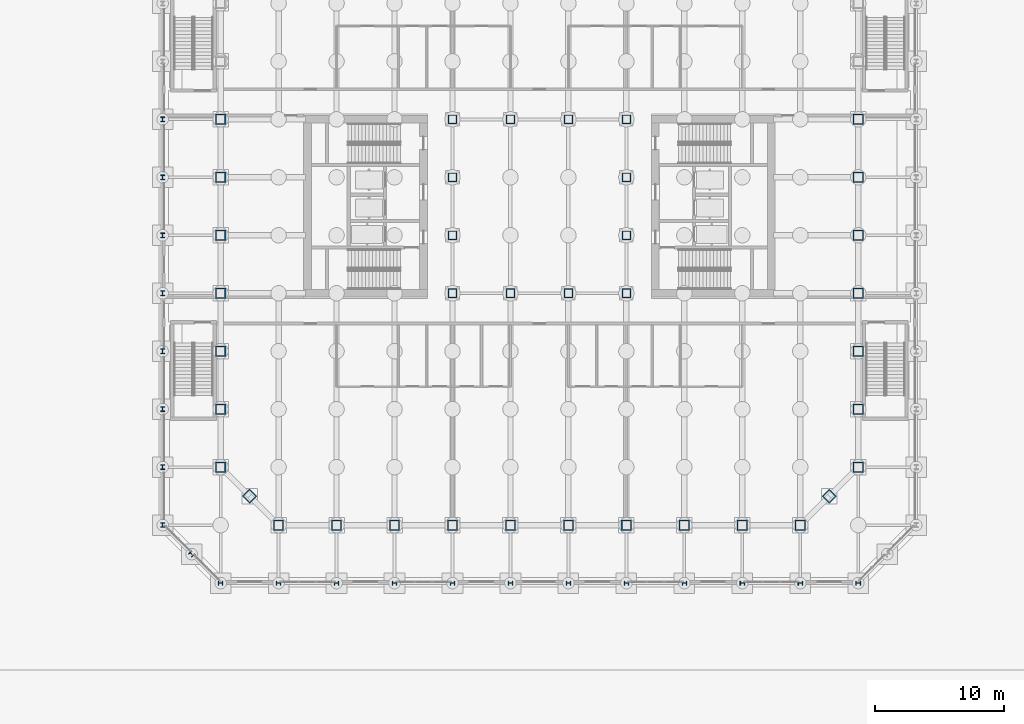
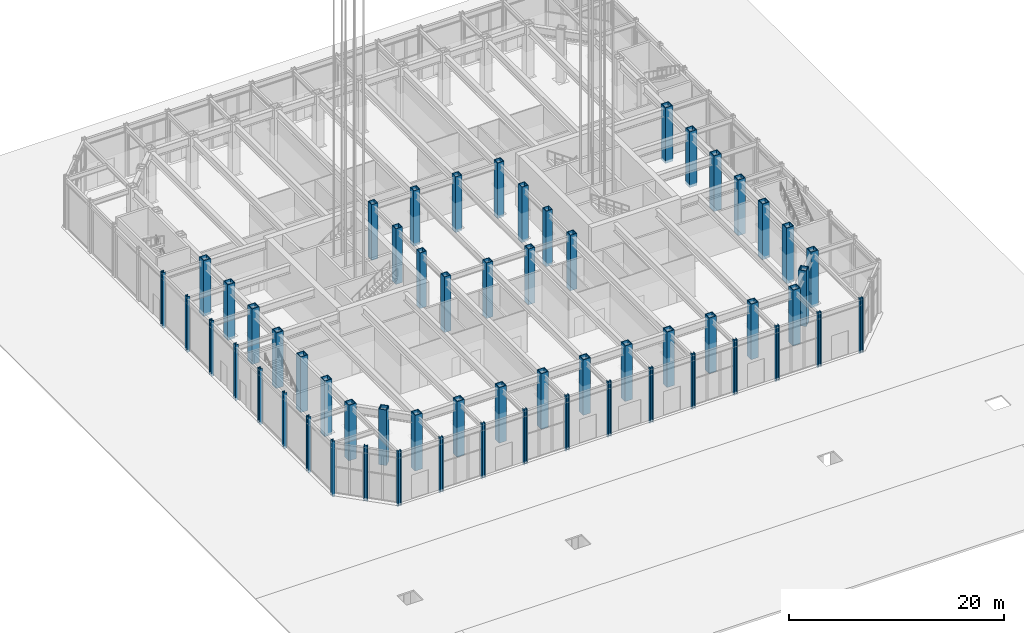
# One storey, part 2 of 39: 59 columns.
"""IFC4 building model written with IfcOpenShell, lengths in metres."""

from ifc_helpers import new_model, si_unit, direction, frame, origin, origin_2d, place, context, subcontext, project, spatial, hollow_rectangle, i_section, extrude, material, material_profile, profile_set, type_object, element, save


model = new_model("IFC4")

# Units and contexts
model_context = context("Model", 3, precision=1e-05, world=origin(), true_north=direction((0.0, 1.0)))
body_context = subcontext(model_context, "Body", "Model", "MODEL_VIEW")
ifc_project = project(units=[si_unit("LENGTHUNIT", "METRE"), si_unit("AREAUNIT", "SQUARE_METRE"), si_unit("VOLUMEUNIT", "CUBIC_METRE"), si_unit("PLANEANGLEUNIT", "RADIAN"), si_unit("MASSUNIT", "GRAM", prefix="KILO")], contexts=[model_context])

# Site, building, storey
site_placement = place(None, origin())
site = spatial("IfcSite", under=ifc_project, at=site_placement, CompositionType="ELEMENT")
building_placement = place(site_placement, origin())
building = spatial("IfcBuilding", under=site, at=building_placement, Name="Msasa Ring Tower", CompositionType="ELEMENT")
storey_placement = place(building_placement, origin())
storey = spatial("IfcBuildingStorey", under=building, at=storey_placement, Name="L00", CompositionType="ELEMENT", Elevation=0.0)

# Columns
ifc_material_1 = material(Name="Steel S355", Category="steel")
ifc_material_profile_1 = material_profile(ifc_material_1, hollow_rectangle(XDim=0.699951171875, YDim=0.699951171875, WallThickness=0.070068359375, at=origin_2d()), Name="BOX 700x700x70")
ifc_profile_set_1 = profile_set([ifc_material_profile_1], Name="Steel S355")
column_type_1 = type_object("IfcColumnType", Name="IC1 BOX 700x700x70", PredefinedType="COLUMN", material=ifc_profile_set_1)
for number, where, z_axis, x_axis, name in (
    (1, (-6.75, -6.75, -0.300048828125), (0.0, 0.0, 1.0), (1.0, 0.0, 0.0), "Inner ring column IR-6.75-6.75 L00"),
    (2, (-6.75, -2.25, -0.300048828125), (0.0, 0.0, 1.0), (1.0, 0.0, 0.0), "Inner ring column IR-6.75-2.25 L00"),
    (3, (-6.75, 2.25, -0.300048828125), (0.0, 0.0, 1.0), (1.0, 0.0, 0.0), "Inner ring column IR-6.75+2.25 L00"),
    (4, (-6.75, 6.75, -0.300048828125), (0.0, 0.0, 1.0), (1.0, 0.0, 0.0), "Inner ring column IR-6.75+6.75 L00"),
    (5, (-2.25, -6.75, -0.300048828125), (0.0, 0.0, 1.0), (1.0, 0.0, 0.0), "Inner ring column IR-2.25-6.75 L00"),
    (6, (-2.25, 6.75, -0.300048828125), (0.0, 0.0, 1.0), (1.0, 0.0, 0.0), "Inner ring column IR-2.25+6.75 L00"),
    (7, (2.25, -6.75, -0.300048828125), (0.0, 0.0, 1.0), (1.0, 0.0, 0.0), "Inner ring column IR+2.25-6.75 L00"),
    (8, (2.25, 6.75, -0.300048828125), (0.0, 0.0, 1.0), (1.0, 0.0, 0.0), "Inner ring column IR+2.25+6.75 L00"),
    (9, (6.75, -6.75, -0.300048828125), (0.0, 0.0, 1.0), (1.0, 0.0, 0.0), "Inner ring column IR+6.75-6.75 L00"),
    (10, (6.75, -2.25, -0.300048828125), (0.0, 0.0, 1.0), (1.0, 0.0, 0.0), "Inner ring column IR+6.75-2.25 L00"),
    (11, (6.75, 2.25, -0.300048828125), (0.0, 0.0, 1.0), (1.0, 0.0, 0.0), "Inner ring column IR+6.75+2.25 L00"),
    (12, (6.75, 6.75, -0.300048828125), (0.0, 0.0, 1.0), (1.0, 0.0, 0.0), "Inner ring column IR+6.75+6.75 L00"),
):
    element("IfcColumn", number, at=place(storey_placement, frame(where, z_axis=z_axis, x_axis=x_axis)), inside=storey, type_object=column_type_1, Name=name, PredefinedType="COLUMN", context=body_context, shape_type="SweptSolid", body=[
        extrude(hollow_rectangle(XDim=0.699951171875, YDim=0.699951171875, WallThickness=0.070068359375, at=origin_2d()), origin(), (0.0, 0.0, 1.0), 6.300048828125),
    ])
ifc_material_2 = material(Name="Steel S355", Category="steel")
ifc_material_profile_2 = material_profile(ifc_material_2, i_section(OverallWidth=0.322265625, OverallDepth=0.365234375, WebThickness=0.02685546875, FlangeThickness=0.044189453125, FilletRadius=0.01513671875, at=origin_2d()), Name="UC 305x305x283")
ifc_profile_set_2 = profile_set([ifc_material_profile_2], Name="Steel S355")
column_type_2 = type_object("IfcColumnType", Name="PC1 UC 305x305x283", PredefinedType="COLUMN", material=ifc_profile_set_2)
for number, where, z_axis, x_axis, name in (
    (13, (-24.75, -29.25, -0.300048828125), (0.0, 0.0, 1.0), (0.0, 1.0, 0.0), "Podium column S-24.75 L00"),
    (14, (-29.25, -24.75, -0.300048828125), (0.0, 0.0, 1.0), (1.0, 0.0, 0.0), "Podium column W-24.75 L00"),
    (15, (-20.25, -29.25, -0.300048828125), (0.0, 0.0, 1.0), (0.0, 1.0, 0.0), "Podium column S-20.25 L00"),
    (16, (-29.25, -20.25, -0.300048828125), (0.0, 0.0, 1.0), (1.0, 0.0, 0.0), "Podium column W-20.25 L00"),
    (17, (-15.75, -29.25, -0.300048828125), (0.0, 0.0, 1.0), (0.0, 1.0, 0.0), "Podium column S-15.75 L00"),
    (18, (-29.25, -15.75, -0.300048828125), (0.0, 0.0, 1.0), (1.0, 0.0, 0.0), "Podium column W-15.75 L00"),
    (19, (-11.25, -29.25, -0.300048828125), (0.0, 0.0, 1.0), (0.0, 1.0, 0.0), "Podium column S-11.25 L00"),
    (20, (-29.25, -11.25, -0.300048828125), (0.0, 0.0, 1.0), (1.0, 0.0, 0.0), "Podium column W-11.25 L00"),
    (21, (-6.75, -29.25, -0.300048828125), (0.0, 0.0, 1.0), (0.0, 1.0, 0.0), "Podium column S-6.75 L00"),
    (22, (-29.25, -6.75, -0.300048828125), (0.0, 0.0, 1.0), (1.0, 0.0, 0.0), "Podium column W-6.75 L00"),
    (23, (-2.25, -29.25, -0.300048828125), (0.0, 0.0, 1.0), (0.0, 1.0, 0.0), "Podium column S-2.25 L00"),
    (24, (-29.25, -2.25, -0.300048828125), (0.0, 0.0, 1.0), (1.0, 0.0, 0.0), "Podium column W-2.25 L00"),
    (25, (2.25, -29.25, -0.300048828125), (0.0, 0.0, 1.0), (0.0, 1.0, 0.0), "Podium column S+2.25 L00"),
    (26, (-29.25, 2.25, -0.300048828125), (0.0, 0.0, 1.0), (1.0, 0.0, 0.0), "Podium column W+2.25 L00"),
    (27, (6.75, -29.25, -0.300048828125), (0.0, 0.0, 1.0), (0.0, 1.0, 0.0), "Podium column S+6.75 L00"),
    (28, (-29.25, 6.75, -0.300048828125), (0.0, 0.0, 1.0), (1.0, 0.0, 0.0), "Podium column W+6.75 L00"),
    (29, (11.25, -29.25, -0.300048828125), (0.0, 0.0, 1.0), (0.0, 1.0, 0.0), "Podium column S+11.25 L00"),
    (30, (15.75, -29.25, -0.300048828125), (0.0, 0.0, 1.0), (0.0, 1.0, 0.0), "Podium column S+15.75 L00"),
    (31, (20.25, -29.25, -0.300048828125), (0.0, 0.0, 1.0), (0.0, 1.0, 0.0), "Podium column S+20.25 L00"),
    (32, (24.75, -29.25, -0.300048828125), (0.0, 0.0, 1.0), (0.0, 1.0, 0.0), "Podium column S+24.75 L00"),
    (33, (-27.0, -27.0, -0.300048828125), (0.0, 0.0, 1.0), (0.707106781187, 0.707106781187, 0.0), "Podium column SW L00"),
):
    element("IfcColumn", number, at=place(storey_placement, frame(where, z_axis=z_axis, x_axis=x_axis)), inside=storey, type_object=column_type_2, Name=name, PredefinedType="COLUMN", context=body_context, shape_type="SweptSolid", body=[
        extrude(i_section(OverallWidth=0.322265625, OverallDepth=0.365234375, WebThickness=0.02685546875, FlangeThickness=0.044189453125, FilletRadius=0.01513671875, at=origin_2d()), origin(), (0.0, 0.0, 1.0), 6.300048828125),
    ])
ifc_material_3 = material(Name="Steel S355", Category="steel")
ifc_material_profile_3 = material_profile(ifc_material_3, hollow_rectangle(XDim=0.800048828125, YDim=0.800048828125, WallThickness=0.080078125, at=origin_2d()), Name="BOX 800x800x80")
ifc_profile_set_3 = profile_set([ifc_material_profile_3], Name="Steel S355")
column_type_3 = type_object("IfcColumnType", Name="TC1 BOX 800x800x80", PredefinedType="COLUMN", material=ifc_profile_set_3)
for number, where, z_axis, x_axis, name in (
    (34, (-20.25, -24.75, -0.300048828125), (0.0, 0.0, 1.0), (0.0, 1.0, 0.0), "Tube column S-20.25 L00"),
    (35, (24.75, -20.25, -0.300048828125), (0.0, 0.0, 1.0), (1.0, 0.0, 0.0), "Tube column E-20.25 L00"),
    (36, (-24.75, -20.25, -0.300048828125), (0.0, 0.0, 1.0), (1.0, 0.0, 0.0), "Tube column W-20.25 L00"),
    (37, (-15.75, -24.75, -0.300048828125), (0.0, 0.0, 1.0), (0.0, 1.0, 0.0), "Tube column S-15.75 L00"),
    (38, (24.75, -15.75, -0.300048828125), (0.0, 0.0, 1.0), (1.0, 0.0, 0.0), "Tube column E-15.75 L00"),
    (39, (-24.75, -15.75, -0.300048828125), (0.0, 0.0, 1.0), (1.0, 0.0, 0.0), "Tube column W-15.75 L00"),
    (40, (-11.25, -24.75, -0.300048828125), (0.0, 0.0, 1.0), (0.0, 1.0, 0.0), "Tube column S-11.25 L00"),
    (41, (24.75, -11.25, -0.300048828125), (0.0, 0.0, 1.0), (1.0, 0.0, 0.0), "Tube column E-11.25 L00"),
    (42, (-24.75, -11.25, -0.300048828125), (0.0, 0.0, 1.0), (1.0, 0.0, 0.0), "Tube column W-11.25 L00"),
    (43, (-6.75, -24.75, -0.300048828125), (0.0, 0.0, 1.0), (0.0, 1.0, 0.0), "Tube column S-6.75 L00"),
    (44, (24.75, -6.75, -0.300048828125), (0.0, 0.0, 1.0), (1.0, 0.0, 0.0), "Tube column E-6.75 L00"),
    (45, (-24.75, -6.75, -0.300048828125), (0.0, 0.0, 1.0), (1.0, 0.0, 0.0), "Tube column W-6.75 L00"),
    (46, (-2.25, -24.75, -0.300048828125), (0.0, 0.0, 1.0), (0.0, 1.0, 0.0), "Tube column S-2.25 L00"),
    (47, (24.75, -2.25, -0.300048828125), (0.0, 0.0, 1.0), (1.0, 0.0, 0.0), "Tube column E-2.25 L00"),
    (48, (-24.75, -2.25, -0.300048828125), (0.0, 0.0, 1.0), (1.0, 0.0, 0.0), "Tube column W-2.25 L00"),
    (49, (2.25, -24.75, -0.300048828125), (0.0, 0.0, 1.0), (0.0, 1.0, 0.0), "Tube column S+2.25 L00"),
    (50, (24.75, 2.25, -0.300048828125), (0.0, 0.0, 1.0), (1.0, 0.0, 0.0), "Tube column E+2.25 L00"),
    (51, (-24.75, 2.25, -0.300048828125), (0.0, 0.0, 1.0), (1.0, 0.0, 0.0), "Tube column W+2.25 L00"),
    (52, (6.75, -24.75, -0.300048828125), (0.0, 0.0, 1.0), (0.0, 1.0, 0.0), "Tube column S+6.75 L00"),
    (53, (24.75, 6.75, -0.300048828125), (0.0, 0.0, 1.0), (1.0, 0.0, 0.0), "Tube column E+6.75 L00"),
    (54, (-24.75, 6.75, -0.300048828125), (0.0, 0.0, 1.0), (1.0, 0.0, 0.0), "Tube column W+6.75 L00"),
    (55, (11.25, -24.75, -0.300048828125), (0.0, 0.0, 1.0), (0.0, 1.0, 0.0), "Tube column S+11.25 L00"),
    (56, (15.75, -24.75, -0.300048828125), (0.0, 0.0, 1.0), (0.0, 1.0, 0.0), "Tube column S+15.75 L00"),
    (57, (20.25, -24.75, -0.300048828125), (0.0, 0.0, 1.0), (0.0, 1.0, 0.0), "Tube column S+20.25 L00"),
    (58, (22.5, -22.5, -0.300048828125), (0.0, 0.0, 1.0), (0.707106781187, -0.707106781187, 0.0), "Tube column SE L00"),
    (59, (-22.5, -22.5, -0.300048828125), (0.0, 0.0, 1.0), (0.707106781187, 0.707106781187, 0.0), "Tube column SW L00"),
):
    element("IfcColumn", number, at=place(storey_placement, frame(where, z_axis=z_axis, x_axis=x_axis)), inside=storey, type_object=column_type_3, Name=name, PredefinedType="COLUMN", context=body_context, shape_type="SweptSolid", body=[
        extrude(hollow_rectangle(XDim=0.800048828125, YDim=0.800048828125, WallThickness=0.080078125, at=origin_2d()), origin(), (0.0, 0.0, 1.0), 6.300048828125),
    ])

save(model, "model.ifc")
